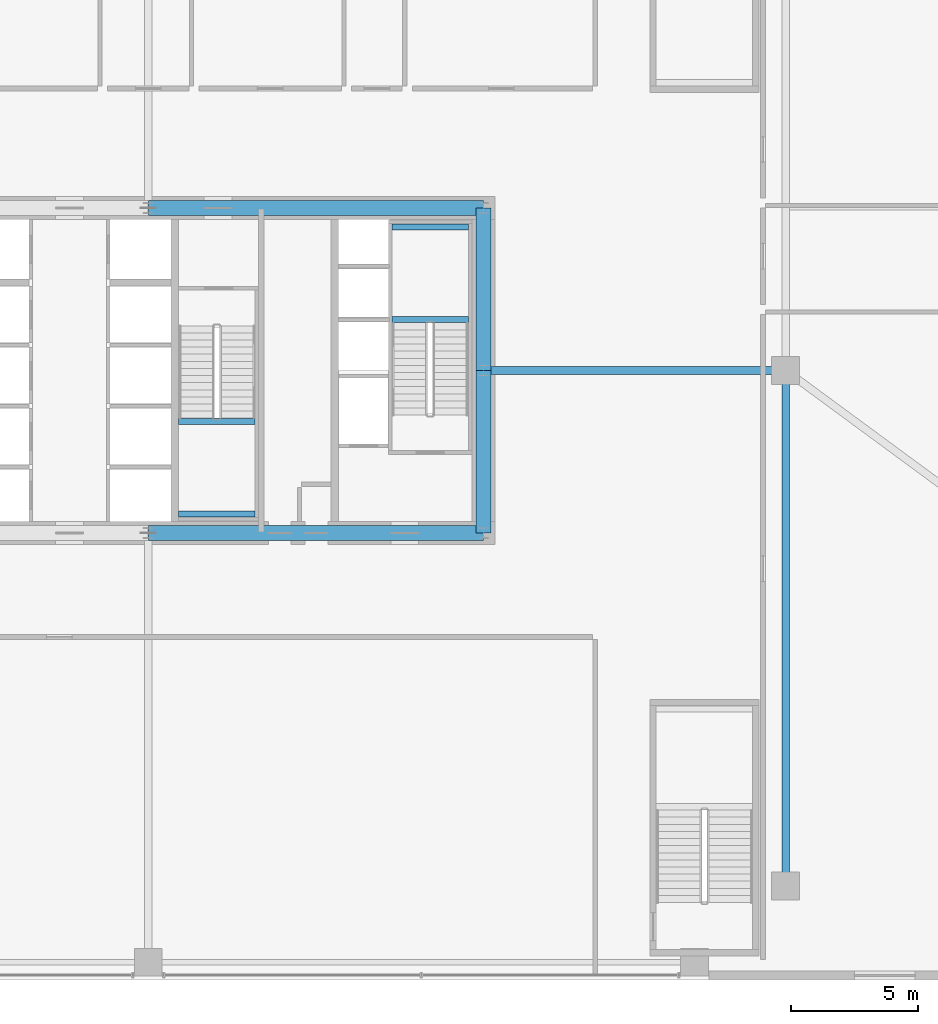
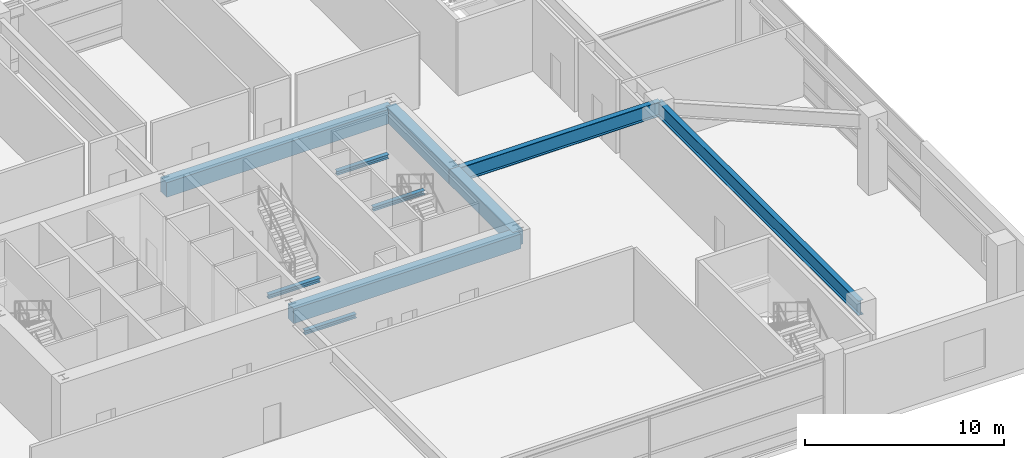
# One storey, part 16 of 38: 10 beams.
"""IFC4 building model written with IfcOpenShell, lengths in metres."""

from ifc_helpers import new_model, si_unit, direction, frame, origin, origin_2d, place, context, subcontext, project, spatial, rectangle, i_section, extrude, source, transform, mapped, material, material_profile, profile_set, type_object, element, save


model = new_model("IFC4")

# Units and contexts
model_context = context("Model", 3, precision=1e-05, world=origin(), true_north=direction((0.0, 1.0)))
body_context = subcontext(model_context, "Body", "Model", "MODEL_VIEW")
ifc_project = project(units=[si_unit("LENGTHUNIT", "METRE"), si_unit("AREAUNIT", "SQUARE_METRE"), si_unit("VOLUMEUNIT", "CUBIC_METRE"), si_unit("PLANEANGLEUNIT", "RADIAN"), si_unit("MASSUNIT", "GRAM", prefix="KILO"), si_unit("THERMODYNAMICTEMPERATUREUNIT", "KELVIN"), si_unit("POWERUNIT", "WATT")], contexts=[model_context])

# Site, building, storey
site_placement = place(None, origin())
site = spatial("IfcSite", under=ifc_project, at=site_placement, CompositionType="ELEMENT")
building_placement = place(site_placement, origin())
building = spatial("IfcBuilding", under=site, at=building_placement, Name="Yuzanri Waterfront Tower", CompositionType="ELEMENT")
storey_placement = place(building_placement, frame((0.0, 0.0, 10.199951171875)))
storey = spatial("IfcBuildingStorey", under=building, at=storey_placement, Name="L03", CompositionType="ELEMENT", Elevation=10.199951171875)

# Beams
ifc_material_1 = material(Name="Concrete C60", Category="concrete")
ifc_material_profile_1 = material_profile(ifc_material_1, rectangle(XDim=0.60009765625, YDim=0.89990234375, at=origin_2d()), Name="RC 600x900")
ifc_profile_set_1 = profile_set([ifc_material_profile_1], Name="Concrete C60")
beam_type_1 = type_object("IfcBeamType", Name="Core Coupling Lintel Concrete C60 600x900", PredefinedType="LINTEL", material=ifc_profile_set_1)
shared_shape_1 = source(origin(), body_context, "Body", "SweptSolid", [
    extrude(rectangle(XDim=0.60009765625, YDim=0.89990234375, at=origin_2d()), origin(), (0.0, 0.0, 1.0), 13.199951171875),
])
for number, where, z_axis, x_axis, name in (
    (1, (37.0, 19.39990234375, 4.070068359375), (1.0, 0.0, 0.0), (0.0, 1.0, 0.0), "L03 Core Tie Beam CS2"),
    (2, (37.0, 32.199951171875, 4.070068359375), (1.0, 0.0, 0.0), (0.0, 1.0, 0.0), "L03 Core Tie Beam CN2"),
):
    element("IfcBeam", number, at=place(storey_placement, frame(where, z_axis=z_axis, x_axis=x_axis)), inside=storey, type_object=beam_type_1, Name=name, PredefinedType="LINTEL", context=body_context, shape_type="MappedRepresentation", body=[
        mapped(shared_shape_1, transform((0.0, 0.0, 0.0), scale=1.0)),
    ])
shared_shape_2 = source(origin(), body_context, "Body", "SweptSolid", [
    extrude(rectangle(XDim=0.60009765625, YDim=0.89990234375, at=origin_2d()), origin(), (0.0, 0.0, 1.0), 6.400146484375),
])
beam_1_placement = place(storey_placement, frame((50.199951171875, 19.39990234375, 4.070068359375), z_axis=(0.0, 1.0, 0.0), x_axis=(-1.0, 0.0, 0.0)))
element("IfcBeam", 3, at=beam_1_placement, inside=storey, type_object=beam_type_1, Name="L03 Core Tie Beam CE1", PredefinedType="LINTEL", context=body_context, shape_type="MappedRepresentation", body=[
    mapped(shared_shape_2, transform((0.0, 0.0, 0.0), scale=1.0)),
])
shared_shape_3 = source(origin(), body_context, "Body", "SweptSolid", [
    extrude(rectangle(XDim=0.60009765625, YDim=0.89990234375, at=origin_2d()), origin(), (0.0, 0.0, 1.0), 6.39990234375),
])
beam_2_placement = place(storey_placement, frame((50.199951171875, 25.800048828125, 4.070068359375), z_axis=(0.0, 1.0, 0.0), x_axis=(-1.0, 0.0, 0.0)))
element("IfcBeam", 4, at=beam_2_placement, inside=storey, type_object=beam_type_1, Name="L03 Core Tie Beam CE2", PredefinedType="LINTEL", context=body_context, shape_type="MappedRepresentation", body=[
    mapped(shared_shape_3, transform((0.0, 0.0, 0.0), scale=1.0)),
])
ifc_material_2 = material(Name="Steel Q355B", Category="steel")
ifc_material_profile_2 = material_profile(ifc_material_2, i_section(OverallWidth=0.300048828125, OverallDepth=0.89990234375, WebThickness=0.01611328125, FlangeThickness=0.028076171875, at=origin_2d()), Name="HN 900x300x16x28")
ifc_profile_set_2 = profile_set([ifc_material_profile_2], Name="Steel Q355B")
beam_type_2 = type_object("IfcBeamType", Name="Primary Podium Girder Q355B HN 900x300", PredefinedType="BEAM", material=ifc_profile_set_2)
shared_shape_4 = source(origin(), body_context, "Body", "SweptSolid", [
    extrude(i_section(OverallWidth=0.300048828125, OverallDepth=0.89990234375, WebThickness=0.01611328125, FlangeThickness=0.028076171875, at=origin_2d()), origin(), (0.0, 0.0, 1.0), 11.900146484375),
])
beam_3_placement = place(storey_placement, frame((50.199951171875, 25.800048828125, 4.070068359375), z_axis=(1.0, 0.0, 0.0), x_axis=(0.0, 1.0, 0.0)))
element("IfcBeam", 5, at=beam_3_placement, inside=storey, type_object=beam_type_2, Name="L03 Podium East Girder 1", PredefinedType="BEAM", context=body_context, shape_type="MappedRepresentation", body=[
    mapped(shared_shape_4, transform((0.0, 0.0, 0.0), scale=1.0)),
])
shared_shape_5 = source(origin(), body_context, "Body", "SweptSolid", [
    extrude(i_section(OverallWidth=0.300048828125, OverallDepth=0.89990234375, WebThickness=0.01611328125, FlangeThickness=0.028076171875, at=origin_2d()), origin(), (0.0, 0.0, 1.0), 20.300048828125),
])
beam_4_placement = place(storey_placement, frame((62.10009765625, 5.5, 4.070068359375), z_axis=(0.0, 1.0, 0.0), x_axis=(-1.0, 0.0, 0.0)))
element("IfcBeam", 6, at=beam_4_placement, inside=storey, type_object=beam_type_2, Name="L03 Podium East Spine S", PredefinedType="BEAM", context=body_context, shape_type="MappedRepresentation", body=[
    mapped(shared_shape_5, transform((0.0, 0.0, 0.0), scale=1.0)),
])
ifc_material_3 = material(Name="Steel Q355B", Category="steel")
ifc_material_profile_3 = material_profile(ifc_material_3, i_section(OverallWidth=0.25, OverallDepth=0.25, WebThickness=0.009033203125, FlangeThickness=0.013916015625, at=origin_2d()), Name="HW 250x250x9x14")
ifc_profile_set_3 = profile_set([ifc_material_profile_3], Name="Steel Q355B")
beam_type_3 = type_object("IfcBeamType", Name="Stair Landing Support Beam Q355B HW 250x250", PredefinedType="BEAM", material=ifc_profile_set_3)
shared_shape_6 = source(origin(), body_context, "Body", "SweptSolid", [
    extrude(i_section(OverallWidth=0.25, OverallDepth=0.25, WebThickness=0.009033203125, FlangeThickness=0.013916015625, at=origin_2d()), origin(), (0.0, 0.0, 1.0), 3.0),
])
for number, where, z_axis, x_axis, name in (
    (7, (46.60009765625, 27.81005859375, 2.074951171875), (1.0, 0.0, 0.0), (0.0, 1.0, 0.0), "L03 Stair Landing Support Beam ST-02-L03-L1-1"),
    (8, (46.60009765625, 31.449951171875, 2.074951171875), (1.0, 0.0, 0.0), (0.0, 1.0, 0.0), "L03 Stair Landing Support Beam ST-02-L03-L1-2"),
    (9, (38.199951171875, 20.14990234375, 2.074951171875), (1.0, 0.0, 0.0), (0.0, 1.0, 0.0), "L03 Stair Landing Support Beam ST-03-L03-L1-1"),
    (10, (38.199951171875, 23.7900390625, 2.074951171875), (1.0, 0.0, 0.0), (0.0, 1.0, 0.0), "L03 Stair Landing Support Beam ST-03-L03-L1-2"),
):
    element("IfcBeam", number, at=place(storey_placement, frame(where, z_axis=z_axis, x_axis=x_axis)), inside=storey, type_object=beam_type_3, Name=name, PredefinedType="BEAM", context=body_context, shape_type="MappedRepresentation", body=[
        mapped(shared_shape_6, transform((0.0, 0.0, 0.0), scale=1.0)),
    ])

save(model, "model.ifc")
